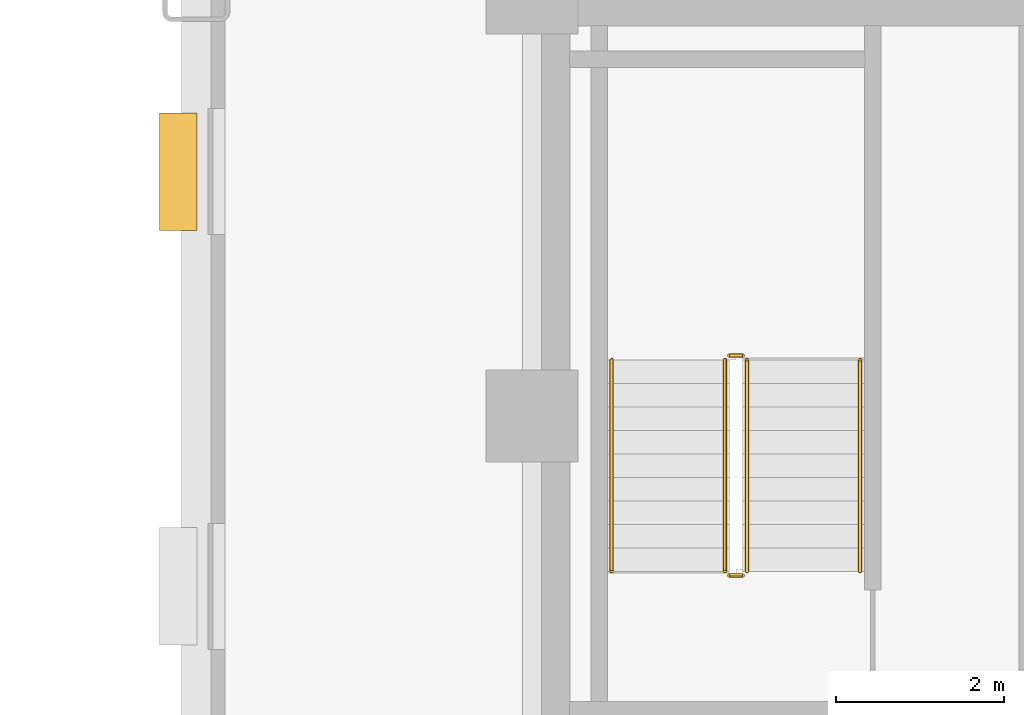
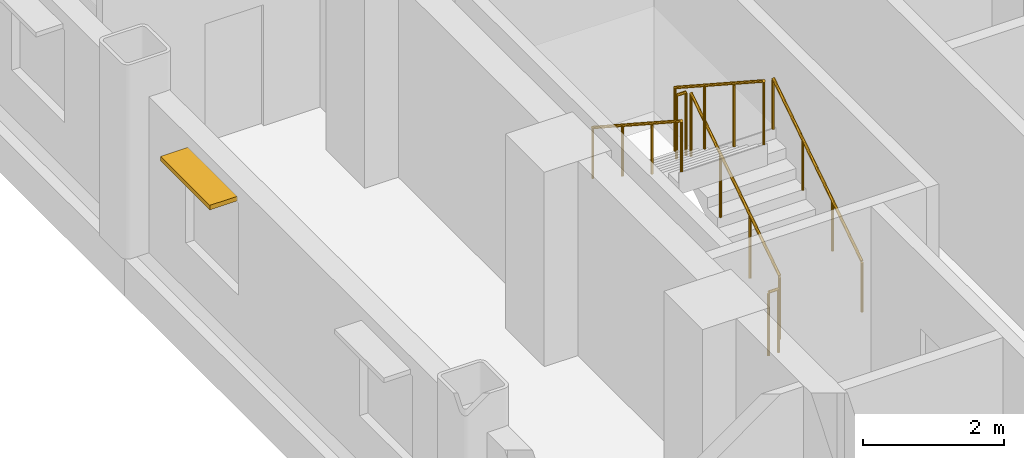
# One storey, part 12 of 14: 6 railings, 1 shading device.
"""IFC4 building model written with IfcOpenShell, lengths in metres."""

from ifc_helpers import new_model, si_unit, direction, frame, origin, origin_2d, place, context, subcontext, project, spatial, rectangle, circle, extrude, source, transform, mapped, material, type_object, type_shapes, element, save


model = new_model("IFC4")

# Units and contexts
model_context = context("Model", 3, precision=1e-05, world=origin(), true_north=direction((0.0, 1.0)))
body_context = subcontext(model_context, "Body", "Model", "MODEL_VIEW")
ifc_project = project(units=[si_unit("LENGTHUNIT", "METRE"), si_unit("AREAUNIT", "SQUARE_METRE"), si_unit("VOLUMEUNIT", "CUBIC_METRE"), si_unit("PLANEANGLEUNIT", "RADIAN"), si_unit("MASSUNIT", "GRAM", prefix="KILO")], contexts=[model_context])

# Site, building, storey
site_placement = place(None, origin())
site = spatial("IfcSite", under=ifc_project, at=site_placement, CompositionType="ELEMENT")
building_placement = place(site_placement, origin())
building = spatial("IfcBuilding", under=site, at=building_placement, Name="Nuvemarco Arch Tower", CompositionType="ELEMENT")
storey_placement = place(building_placement, frame((0.0, 0.0, 71.39990234375)))
storey = spatial("IfcBuildingStorey", under=building, at=storey_placement, Name="L18", CompositionType="ELEMENT", Elevation=71.39990234375)

# Railings
ifc_material_1 = material(Name="Brushed stainless steel handrail", Category="steel")
railing_type_1 = type_object("IfcRailingType", Name="RL-HANDRAIL-900", PredefinedType="HANDRAIL", material=ifc_material_1)
railing_1_placement = place(storey_placement, frame((-13.590087890625, 2.64990234375, 0.1826171875)))
element("IfcRailing", 1, at=railing_1_placement, inside=storey, type_object=railing_type_1, Name="L18 ST-1 stair handrail 1", PredefinedType="HANDRAIL", context=body_context, shape_type="SweptSolid", body=[
    extrude(circle(Radius=0.02392578125, at=origin_2d()), frame((0.0, 0.0, 0.8759765625), z_axis=(0.0, 0.837749427056, 0.546054848405), x_axis=(-1.0, 0.0, 0.0)), (0.0, 0.0, 1.0), 3.008056640625),
    extrude(circle(Radius=0.02099609375, at=origin_2d()), origin(), (0.0, 0.0, 1.0), 0.851806640625),
    extrude(circle(Radius=0.02099609375, at=origin_2d()), frame((0.0, 0.840087890625, 0.547607421875)), (0.0, 0.0, 1.0), 0.851806640625),
    extrude(circle(Radius=0.02099609375, at=origin_2d()), frame((0.0, 1.679931640625, 1.094970703125)), (0.0, 0.0, 1.0), 0.851806640625),
    extrude(circle(Radius=0.02099609375, at=origin_2d()), frame((0.0, 2.52001953125, 1.642578125)), (0.0, 0.0, 1.0), 0.851806640625),
])
railing_2_placement = place(storey_placement, frame((-16.550048828125, 5.169921875, 2.007568359375)))
element("IfcRailing", 2, at=railing_2_placement, inside=storey, type_object=railing_type_1, Name="L18 ST-1 stair handrail 2", PredefinedType="HANDRAIL", context=body_context, shape_type="SweptSolid", body=[
    extrude(circle(Radius=0.02392578125, at=origin_2d()), frame((0.0, 0.0, 0.8759765625), z_axis=(0.0, -0.837749427056, 0.546054848405), x_axis=(1.0, 0.0, 0.0)), (0.0, 0.0, 1.0), 3.008056640625),
    extrude(circle(Radius=0.02099609375, at=origin_2d()), origin(), (0.0, 0.0, 1.0), 0.851806640625),
    extrude(circle(Radius=0.02099609375, at=origin_2d()), frame((0.0, -0.840087890625, 0.547607421875)), (0.0, 0.0, 1.0), 0.851806640625),
    extrude(circle(Radius=0.02099609375, at=origin_2d()), frame((0.0, -1.679931640625, 1.094970703125)), (0.0, 0.0, 1.0), 0.851806640625),
    extrude(circle(Radius=0.02099609375, at=origin_2d()), frame((0.0, -2.52001953125, 1.642578125)), (0.0, 0.0, 1.0), 0.851806640625),
])
ifc_material_2 = material(Name="Painted balustrade steel S355", Category="steel")
railing_type_2 = type_object("IfcRailingType", Name="RL-STAIR-GUARD", PredefinedType="GUARDRAIL", material=ifc_material_2)
railing_3_placement = place(storey_placement, frame((-14.93994140625, 2.64990234375, 0.1826171875)))
element("IfcRailing", 3, at=railing_3_placement, inside=storey, type_object=railing_type_2, Name="L18 ST-1 stair guard 1", PredefinedType="GUARDRAIL", context=body_context, shape_type="SweptSolid", body=[
    extrude(circle(Radius=0.02392578125, at=origin_2d()), frame((0.0, 0.0, 1.09619140625), z_axis=(0.0, 0.837749427056, 0.546054848405), x_axis=(-1.0, 0.0, 0.0)), (0.0, 0.0, 1.0), 3.008056640625),
    extrude(circle(Radius=0.02099609375, at=origin_2d()), origin(), (0.0, 0.0, 1.0), 1.072021484375),
    extrude(circle(Radius=0.02099609375, at=origin_2d()), frame((0.0, 0.840087890625, 0.547607421875)), (0.0, 0.0, 1.0), 1.072021484375),
    extrude(circle(Radius=0.02099609375, at=origin_2d()), frame((0.0, 1.679931640625, 1.094970703125)), (0.0, 0.0, 1.0), 1.072021484375),
    extrude(circle(Radius=0.02099609375, at=origin_2d()), frame((0.0, 2.52001953125, 1.642578125)), (0.0, 0.0, 1.0), 1.072021484375),
])
railing_4_placement = place(storey_placement, frame((-14.989990234375, 5.219970703125, 1.8251953125)))
element("IfcRailing", 4, at=railing_4_placement, inside=storey, type_object=railing_type_2, Name="L18 ST-1 stair guard 2", PredefinedType="GUARDRAIL", context=body_context, shape_type="SweptSolid", body=[
    extrude(circle(Radius=0.02392578125, at=origin_2d()), frame((0.0, 0.0, 1.09619140625), z_axis=(-1.0, 0.0, 0.0), x_axis=(0.0, -1.0, 0.0)), (0.0, 0.0, 1.0), 0.159912109375),
    extrude(circle(Radius=0.02099609375, at=origin_2d()), origin(), (0.0, 0.0, 1.0), 1.072021484375),
    extrude(circle(Radius=0.02099609375, at=origin_2d()), frame((-0.159912109375, 0.0, 0.0)), (0.0, 0.0, 1.0), 1.072021484375),
])
railing_5_placement = place(storey_placement, frame((-15.199951171875, 5.169921875, 2.007568359375)))
element("IfcRailing", 5, at=railing_5_placement, inside=storey, type_object=railing_type_2, Name="L18 ST-1 stair guard 3", PredefinedType="GUARDRAIL", context=body_context, shape_type="SweptSolid", body=[
    extrude(circle(Radius=0.02392578125, at=origin_2d()), frame((0.0, 0.0, 1.09619140625), z_axis=(0.0, -0.837749427056, 0.546054848405), x_axis=(1.0, 0.0, 0.0)), (0.0, 0.0, 1.0), 3.008056640625),
    extrude(circle(Radius=0.02099609375, at=origin_2d()), origin(), (0.0, 0.0, 1.0), 1.072021484375),
    extrude(circle(Radius=0.02099609375, at=origin_2d()), frame((0.0, -0.840087890625, 0.547607421875)), (0.0, 0.0, 1.0), 1.072021484375),
    extrude(circle(Radius=0.02099609375, at=origin_2d()), frame((0.0, -1.679931640625, 1.094970703125)), (0.0, 0.0, 1.0), 1.072021484375),
    extrude(circle(Radius=0.02099609375, at=origin_2d()), frame((0.0, -2.52001953125, 1.642578125)), (0.0, 0.0, 1.0), 1.072021484375),
])
railing_6_placement = place(storey_placement, frame((-14.989990234375, 2.60009765625, 0.0)))
element("IfcRailing", 6, at=railing_6_placement, inside=storey, type_object=railing_type_2, Name="L18 ST-1 stair guard 4", PredefinedType="GUARDRAIL", context=body_context, shape_type="SweptSolid", body=[
    extrude(circle(Radius=0.02392578125, at=origin_2d()), frame((0.0, 0.0, 1.09619140625), z_axis=(-1.0, 0.0, 0.0), x_axis=(0.0, -1.0, 0.0)), (0.0, 0.0, 1.0), 0.159912109375),
    extrude(circle(Radius=0.02099609375, at=origin_2d()), origin(), (0.0, 0.0, 1.0), 1.072021484375),
    extrude(circle(Radius=0.02099609375, at=origin_2d()), frame((-0.159912109375, 0.0, 0.0)), (0.0, 0.0, 1.0), 1.072021484375),
])

# Shading device
ifc_material_3 = material(Name="Anodised aluminium 6063-T6", Category="aluminium")
shading_device_type = type_object("IfcShadingDeviceType", Name="SHD-BRISE-NARROW", PredefinedType="USERDEFINED", material=ifc_material_3)
shared_shape = source(origin(), body_context, "Body", "SweptSolid", [
    extrude(rectangle(XDim=1.39990234375, YDim=0.449951171875, at=origin_2d()), origin(), (0.0, 0.0, 1.0), 0.080078125),
])
type_shapes(shading_device_type, [shared_shape])
shading_device_placement = place(storey_placement, frame((-21.715087890625, 7.41162109375, 2.405029296875), z_axis=(0.0, 0.0, 1.0), x_axis=(0.0, 1.0, 0.0)))
element("IfcShadingDevice", 7, at=shading_device_placement, inside=storey, type_object=shading_device_type, Name="L18 horizontal brise-soleil sunshade", ObjectType="SUNSHADE", PredefinedType="USERDEFINED", context=body_context, shape_type="MappedRepresentation", body=[
    mapped(shared_shape, transform((0.0, 0.0, 0.0), scale=1.0)),
])

save(model, "model.ifc")
